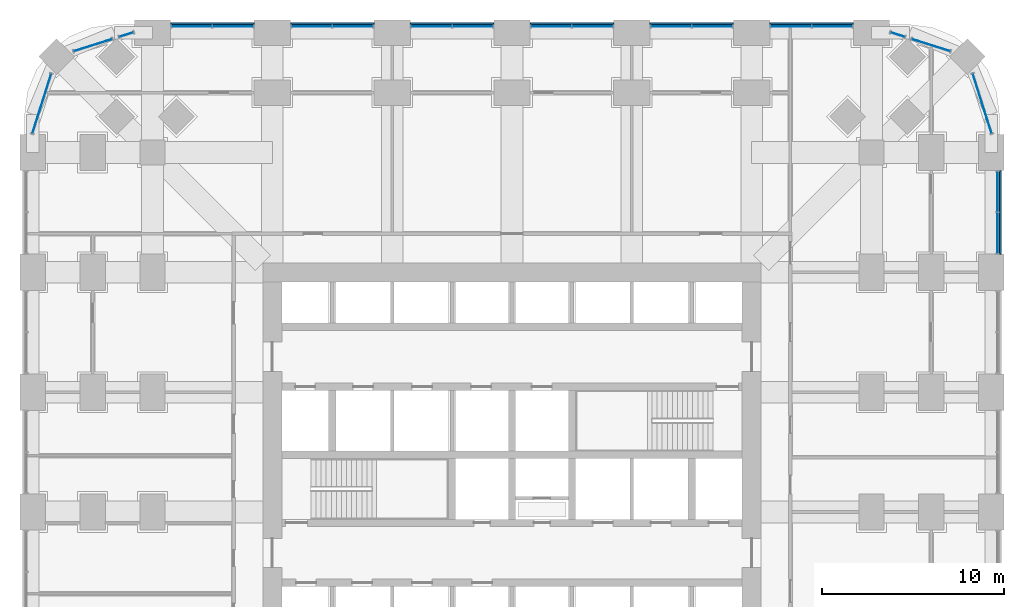
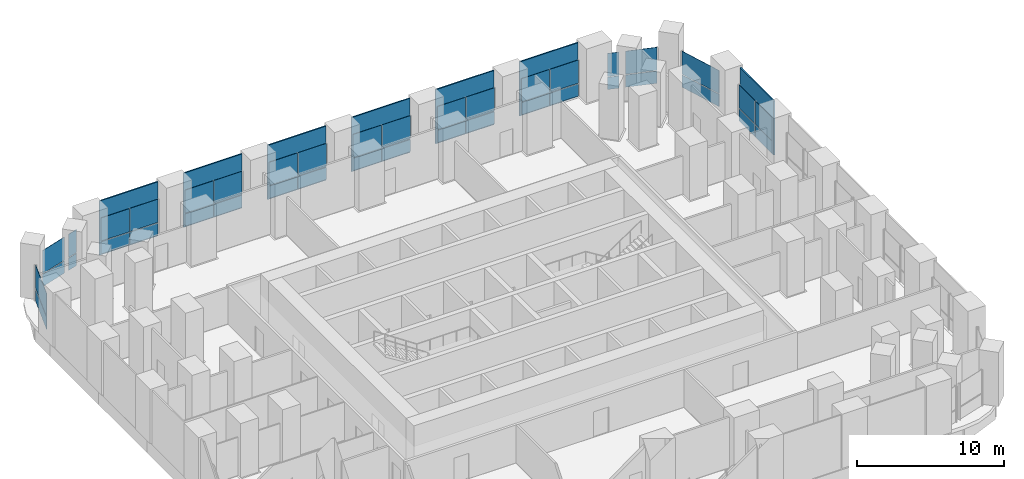
# One storey, part 10 of 17: 47 plates, 13 elements without a shape of their own.
"""IFC4 building model written with IfcOpenShell, lengths in metres."""

from ifc_helpers import new_model, si_unit, direction, frame, origin, origin_2d, place, context, subcontext, project, spatial, rectangle, extrude, material, layer, layer_set, type_object, element, aggregate, save


model = new_model("IFC4")

# Units and contexts
model_context = context("Model", 3, precision=1e-05, world=origin(), true_north=direction((0.0, 1.0)))
body_context = subcontext(model_context, "Body", "Model", "MODEL_VIEW")
ifc_project = project(units=[si_unit("LENGTHUNIT", "METRE"), si_unit("AREAUNIT", "SQUARE_METRE"), si_unit("VOLUMEUNIT", "CUBIC_METRE"), si_unit("PLANEANGLEUNIT", "RADIAN"), si_unit("MASSUNIT", "GRAM", prefix="KILO")], contexts=[model_context])

# Site, building, storey
site_placement = place(None, origin())
site = spatial("IfcSite", under=ifc_project, at=site_placement, CompositionType="ELEMENT")
building_placement = place(site_placement, origin())
building = spatial("IfcBuilding", under=site, at=building_placement, Name="Cobogo Forest Laboratory Tower", CompositionType="ELEMENT")
storey_placement = place(building_placement, frame((0.0, 0.0, 12.60009765625)))
storey = spatial("IfcBuildingStorey", under=building, at=storey_placement, Name="L02", CompositionType="ELEMENT", Elevation=12.60009765625)

# Plates
ifc_material_1 = material(Name="Pierced concrete block", Category="concrete")
ifc_layer_1 = layer(ifc_material_1, 0.10009765625)
ifc_layer_set_1 = layer_set([ifc_layer_1], Name="CO1 cobogo block screen 100")
plate_type_1 = type_object("IfcPlateType", Name="CO1 cobogo block screen 100", PredefinedType="USERDEFINED", material=ifc_layer_set_1)
for number, where, z_axis, x_axis, name in (
    (1, (53.300048828125, 36.300048828125, -0.150146484375), (0.0, 0.0, 1.0), (0.0, 1.0, 0.0), "Cobogo screen E5 L02"),
    (2, (9.89990234375, 46.699951171875, -0.150146484375), (0.0, 0.0, 1.0), (1.0, 0.0, 0.0), "Cobogo screen N1 L02"),
    (3, (16.5, 46.699951171875, -0.150146484375), (0.0, 0.0, 1.0), (1.0, 0.0, 0.0), "Cobogo screen N2 L02"),
    (4, (23.10009765625, 46.699951171875, -0.150146484375), (0.0, 0.0, 1.0), (1.0, 0.0, 0.0), "Cobogo screen N3 L02"),
    (5, (29.699951171875, 46.699951171875, -0.150146484375), (0.0, 0.0, 1.0), (1.0, 0.0, 0.0), "Cobogo screen N4 L02"),
    (6, (36.300048828125, 46.699951171875, -0.150146484375), (0.0, 0.0, 1.0), (1.0, 0.0, 0.0), "Cobogo screen N5 L02"),
    (7, (42.89990234375, 46.699951171875, -0.150146484375), (0.0, 0.0, 1.0), (1.0, 0.0, 0.0), "Cobogo screen N6 L02"),
):
    element("IfcPlate", number, at=place(storey_placement, frame(where, z_axis=z_axis, x_axis=x_axis)), inside=storey, type_object=plate_type_1, Name=name, ObjectType="COBOGO SCREEN", PredefinedType="USERDEFINED", context=body_context, shape_type="SweptSolid", body=[
        extrude(rectangle(XDim=4.60009765625, YDim=0.10009765625, at=origin_2d()), origin(), (0.0, 0.0, 1.0), 4.5),
    ])

# Curtain wall, plates
ifc_material_2 = material(Name="Aluminium curtain wall", Category="aluminium")
curtain_wall_type = type_object("IfcCurtainWallType", Name="CW-K stick curtain wall, podium laboratories", PredefinedType="USERDEFINED", material=ifc_material_2)
curtain_wall_1_placement = place(storey_placement, origin())
curtain_wall_1 = element("IfcCurtainWall", 8, at=curtain_wall_1_placement, inside=storey, type_object=curtain_wall_type, Name="Curtain wall 14 L02", ObjectType="STICK CURTAIN WALL", PredefinedType="USERDEFINED")
ifc_material_3 = material(Name="Clear insulated glass", Category="glass")
ifc_layer_2 = layer(ifc_material_3, 0.028076171875)
ifc_layer_set_2 = layer_set([ifc_layer_2], Name="GP-1 clear insulated glass unit 28")
plate_type_2 = type_object("IfcPlateType", Name="GP-1 clear insulated glass unit 28", PredefinedType="CURTAIN_PANEL", material=ifc_layer_set_2)
plate_1_placement = place(storey_placement, frame((53.14990234375, 35.1650390625, 0.0), z_axis=(0.0, 0.0, 1.0), x_axis=(0.0, 1.0, 0.0)))
plate_1 = element("IfcPlate", 9, at=plate_1_placement, type_object=plate_type_2, Name="CW-K panel 1.1", PredefinedType="CURTAIN_PANEL", context=body_context, shape_type="SweptSolid", body=[
    extrude(rectangle(XDim=2.2099609375, YDim=0.028076171875, at=origin_2d()), origin(), (0.0, 0.0, 1.0), 1.02001953125),
])
plate_2_placement = place(storey_placement, frame((53.14990234375, 35.1650390625, 1.079833984375), z_axis=(0.0, 0.0, 1.0), x_axis=(0.0, 1.0, 0.0)))
plate_2 = element("IfcPlate", 10, at=plate_2_placement, type_object=plate_type_2, Name="CW-K panel 1.2", PredefinedType="CURTAIN_PANEL", context=body_context, shape_type="SweptSolid", body=[
    extrude(rectangle(XDim=2.2099609375, YDim=0.028076171875, at=origin_2d()), origin(), (0.0, 0.0, 1.0), 1.919921875),
])
plate_3_placement = place(storey_placement, frame((53.14990234375, 37.43505859375, 0.0), z_axis=(0.0, 0.0, 1.0), x_axis=(0.0, 1.0, 0.0)))
plate_3 = element("IfcPlate", 11, at=plate_3_placement, type_object=plate_type_2, Name="CW-K panel 2.1", PredefinedType="CURTAIN_PANEL", context=body_context, shape_type="SweptSolid", body=[
    extrude(rectangle(XDim=2.2099609375, YDim=0.028076171875, at=origin_2d()), origin(), (0.0, 0.0, 1.0), 1.02001953125),
])
plate_4_placement = place(storey_placement, frame((53.14990234375, 37.43505859375, 1.079833984375), z_axis=(0.0, 0.0, 1.0), x_axis=(0.0, 1.0, 0.0)))
plate_4 = element("IfcPlate", 12, at=plate_4_placement, type_object=plate_type_2, Name="CW-K panel 2.2", PredefinedType="CURTAIN_PANEL", context=body_context, shape_type="SweptSolid", body=[
    extrude(rectangle(XDim=2.2099609375, YDim=0.028076171875, at=origin_2d()), origin(), (0.0, 0.0, 1.0), 1.919921875),
])
aggregate(curtain_wall_1, [plate_1, plate_2, plate_3, plate_4])

curtain_wall_2_placement = place(storey_placement, origin())
curtain_wall_2 = element("IfcCurtainWall", 13, at=curtain_wall_2_placement, inside=storey, type_object=curtain_wall_type, Name="Curtain wall 15 L02", ObjectType="STICK CURTAIN WALL", PredefinedType="USERDEFINED")
plate_5_placement = place(storey_placement, frame((52.299072265625, 42.294921875, 0.0), z_axis=(0.0, 0.0, 1.0), x_axis=(-0.301135433696, 0.953581381201, 0.0)))
plate_5 = element("IfcPlate", 14, at=plate_5_placement, type_object=plate_type_2, Name="CW-K panel 1.1", PredefinedType="CURTAIN_PANEL", context=body_context, shape_type="SweptSolid", body=[
    extrude(rectangle(XDim=3.434814453125, YDim=0.028076171875, at=origin_2d()), origin(), (0.0, 0.0, 1.0), 1.02001953125),
])
plate_6_placement = place(storey_placement, frame((52.299072265625, 42.294921875, 1.079833984375), z_axis=(0.0, 0.0, 1.0), x_axis=(-0.301135433696, 0.953581381201, 0.0)))
plate_6 = element("IfcPlate", 15, at=plate_6_placement, type_object=plate_type_2, Name="CW-K panel 1.2", PredefinedType="CURTAIN_PANEL", context=body_context, shape_type="SweptSolid", body=[
    extrude(rectangle(XDim=3.434814453125, YDim=0.028076171875, at=origin_2d()), origin(), (0.0, 0.0, 1.0), 1.919921875),
])
aggregate(curtain_wall_2, [plate_5, plate_6])

curtain_wall_3_placement = place(storey_placement, origin())
curtain_wall_3 = element("IfcCurtainWall", 16, at=curtain_wall_3_placement, inside=storey, type_object=curtain_wall_type, Name="Curtain wall 16 L02", ObjectType="STICK CURTAIN WALL", PredefinedType="USERDEFINED")
plate_7_placement = place(storey_placement, frame((49.482177734375, 45.513427734375, 0.0), z_axis=(0.0, 0.0, 1.0), x_axis=(-0.953581409645, 0.301135343623, 0.0)))
plate_7 = element("IfcPlate", 17, at=plate_7_placement, type_object=plate_type_2, Name="CW-K panel 1.1", PredefinedType="CURTAIN_PANEL", context=body_context, shape_type="SweptSolid", body=[
    extrude(rectangle(XDim=2.203369140625, YDim=0.028076171875, at=origin_2d()), origin(), (0.0, 0.0, 1.0), 1.02001953125),
])
plate_8_placement = place(storey_placement, frame((49.482177734375, 45.513427734375, 1.079833984375), z_axis=(0.0, 0.0, 1.0), x_axis=(-0.953581409645, 0.301135343623, 0.0)))
plate_8 = element("IfcPlate", 18, at=plate_8_placement, type_object=plate_type_2, Name="CW-K panel 1.2", PredefinedType="CURTAIN_PANEL", context=body_context, shape_type="SweptSolid", body=[
    extrude(rectangle(XDim=2.203369140625, YDim=0.028076171875, at=origin_2d()), origin(), (0.0, 0.0, 1.0), 1.919921875),
])
aggregate(curtain_wall_3, [plate_7, plate_8])

curtain_wall_4_placement = place(storey_placement, origin())
curtain_wall_4 = element("IfcCurtainWall", 19, at=curtain_wall_4_placement, inside=storey, type_object=curtain_wall_type, Name="Curtain wall 17 L02", ObjectType="STICK CURTAIN WALL", PredefinedType="USERDEFINED")
plate_9_placement = place(storey_placement, frame((47.640869140625, 46.094970703125, 0.0), z_axis=(0.0, 0.0, 1.0), x_axis=(-0.953581406818, 0.301135352577, 0.0)))
plate_9 = element("IfcPlate", 20, at=plate_9_placement, type_object=plate_type_2, Name="CW-K panel 1.1", PredefinedType="CURTAIN_PANEL", context=body_context, shape_type="SweptSolid", body=[
    extrude(rectangle(XDim=0.804931640625, YDim=0.028076171875, at=origin_2d()), origin(), (0.0, 0.0, 1.0), 1.02001953125),
])
plate_10_placement = place(storey_placement, frame((47.640869140625, 46.094970703125, 1.079833984375), z_axis=(0.0, 0.0, 1.0), x_axis=(-0.953581406818, 0.301135352577, 0.0)))
plate_10 = element("IfcPlate", 21, at=plate_10_placement, type_object=plate_type_2, Name="CW-K panel 1.2", PredefinedType="CURTAIN_PANEL", context=body_context, shape_type="SweptSolid", body=[
    extrude(rectangle(XDim=0.804931640625, YDim=0.028076171875, at=origin_2d()), origin(), (0.0, 0.0, 1.0), 1.919921875),
])
aggregate(curtain_wall_4, [plate_9, plate_10])

curtain_wall_5_placement = place(storey_placement, origin())
curtain_wall_5 = element("IfcCurtainWall", 22, at=curtain_wall_5_placement, inside=storey, type_object=curtain_wall_type, Name="Curtain wall 18 L02", ObjectType="STICK CURTAIN WALL", PredefinedType="USERDEFINED")
plate_11_placement = place(storey_placement, frame((44.034912109375, 46.550048828125, 0.0), z_axis=(0.0, 0.0, 1.0), x_axis=(-1.0, 0.0, 0.0)))
plate_11 = element("IfcPlate", 23, at=plate_11_placement, type_object=plate_type_2, Name="CW-K panel 1.1", PredefinedType="CURTAIN_PANEL", context=body_context, shape_type="SweptSolid", body=[
    extrude(rectangle(XDim=2.2099609375, YDim=0.028076171875, at=origin_2d()), origin(), (0.0, 0.0, 1.0), 1.02001953125),
])
plate_12_placement = place(storey_placement, frame((44.034912109375, 46.550048828125, 1.079833984375), z_axis=(0.0, 0.0, 1.0), x_axis=(-1.0, 0.0, 0.0)))
plate_12 = element("IfcPlate", 24, at=plate_12_placement, type_object=plate_type_2, Name="CW-K panel 1.2", PredefinedType="CURTAIN_PANEL", context=body_context, shape_type="SweptSolid", body=[
    extrude(rectangle(XDim=2.2099609375, YDim=0.028076171875, at=origin_2d()), origin(), (0.0, 0.0, 1.0), 1.919921875),
])
plate_13_placement = place(storey_placement, frame((41.764892578125, 46.550048828125, 0.0), z_axis=(0.0, 0.0, 1.0), x_axis=(-1.0, 0.0, 0.0)))
plate_13 = element("IfcPlate", 25, at=plate_13_placement, type_object=plate_type_2, Name="CW-K panel 2.1", PredefinedType="CURTAIN_PANEL", context=body_context, shape_type="SweptSolid", body=[
    extrude(rectangle(XDim=2.2099609375, YDim=0.028076171875, at=origin_2d()), origin(), (0.0, 0.0, 1.0), 1.02001953125),
])
plate_14_placement = place(storey_placement, frame((41.764892578125, 46.550048828125, 1.079833984375), z_axis=(0.0, 0.0, 1.0), x_axis=(-1.0, 0.0, 0.0)))
plate_14 = element("IfcPlate", 26, at=plate_14_placement, type_object=plate_type_2, Name="CW-K panel 2.2", PredefinedType="CURTAIN_PANEL", context=body_context, shape_type="SweptSolid", body=[
    extrude(rectangle(XDim=2.2099609375, YDim=0.028076171875, at=origin_2d()), origin(), (0.0, 0.0, 1.0), 1.919921875),
])
aggregate(curtain_wall_5, [plate_11, plate_12, plate_13, plate_14])

curtain_wall_6_placement = place(storey_placement, origin())
curtain_wall_6 = element("IfcCurtainWall", 27, at=curtain_wall_6_placement, inside=storey, type_object=curtain_wall_type, Name="Curtain wall 19 L02", ObjectType="STICK CURTAIN WALL", PredefinedType="USERDEFINED")
plate_15_placement = place(storey_placement, frame((37.43505859375, 46.550048828125, 0.0), z_axis=(0.0, 0.0, 1.0), x_axis=(-1.0, 0.0, 0.0)))
plate_15 = element("IfcPlate", 28, at=plate_15_placement, type_object=plate_type_2, Name="CW-K panel 1.1", PredefinedType="CURTAIN_PANEL", context=body_context, shape_type="SweptSolid", body=[
    extrude(rectangle(XDim=2.2099609375, YDim=0.028076171875, at=origin_2d()), origin(), (0.0, 0.0, 1.0), 1.02001953125),
])
plate_16_placement = place(storey_placement, frame((37.43505859375, 46.550048828125, 1.079833984375), z_axis=(0.0, 0.0, 1.0), x_axis=(-1.0, 0.0, 0.0)))
plate_16 = element("IfcPlate", 29, at=plate_16_placement, type_object=plate_type_2, Name="CW-K panel 1.2", PredefinedType="CURTAIN_PANEL", context=body_context, shape_type="SweptSolid", body=[
    extrude(rectangle(XDim=2.2099609375, YDim=0.028076171875, at=origin_2d()), origin(), (0.0, 0.0, 1.0), 1.919921875),
])
plate_17_placement = place(storey_placement, frame((35.1650390625, 46.550048828125, 0.0), z_axis=(0.0, 0.0, 1.0), x_axis=(-1.0, 0.0, 0.0)))
plate_17 = element("IfcPlate", 30, at=plate_17_placement, type_object=plate_type_2, Name="CW-K panel 2.1", PredefinedType="CURTAIN_PANEL", context=body_context, shape_type="SweptSolid", body=[
    extrude(rectangle(XDim=2.2099609375, YDim=0.028076171875, at=origin_2d()), origin(), (0.0, 0.0, 1.0), 1.02001953125),
])
plate_18_placement = place(storey_placement, frame((35.1650390625, 46.550048828125, 1.079833984375), z_axis=(0.0, 0.0, 1.0), x_axis=(-1.0, 0.0, 0.0)))
plate_18 = element("IfcPlate", 31, at=plate_18_placement, type_object=plate_type_2, Name="CW-K panel 2.2", PredefinedType="CURTAIN_PANEL", context=body_context, shape_type="SweptSolid", body=[
    extrude(rectangle(XDim=2.2099609375, YDim=0.028076171875, at=origin_2d()), origin(), (0.0, 0.0, 1.0), 1.919921875),
])
aggregate(curtain_wall_6, [plate_15, plate_16, plate_17, plate_18])

curtain_wall_7_placement = place(storey_placement, origin())
curtain_wall_7 = element("IfcCurtainWall", 32, at=curtain_wall_7_placement, inside=storey, type_object=curtain_wall_type, Name="Curtain wall 20 L02", ObjectType="STICK CURTAIN WALL", PredefinedType="USERDEFINED")
plate_19_placement = place(storey_placement, frame((30.8349609375, 46.550048828125, 0.0), z_axis=(0.0, 0.0, 1.0), x_axis=(-1.0, 0.0, 0.0)))
plate_19 = element("IfcPlate", 33, at=plate_19_placement, type_object=plate_type_2, Name="CW-K panel 1.1", PredefinedType="CURTAIN_PANEL", context=body_context, shape_type="SweptSolid", body=[
    extrude(rectangle(XDim=2.2099609375, YDim=0.028076171875, at=origin_2d()), origin(), (0.0, 0.0, 1.0), 1.02001953125),
])
plate_20_placement = place(storey_placement, frame((30.8349609375, 46.550048828125, 1.079833984375), z_axis=(0.0, 0.0, 1.0), x_axis=(-1.0, 0.0, 0.0)))
plate_20 = element("IfcPlate", 34, at=plate_20_placement, type_object=plate_type_2, Name="CW-K panel 1.2", PredefinedType="CURTAIN_PANEL", context=body_context, shape_type="SweptSolid", body=[
    extrude(rectangle(XDim=2.2099609375, YDim=0.028076171875, at=origin_2d()), origin(), (0.0, 0.0, 1.0), 1.919921875),
])
plate_21_placement = place(storey_placement, frame((28.56494140625, 46.550048828125, 0.0), z_axis=(0.0, 0.0, 1.0), x_axis=(-1.0, 0.0, 0.0)))
plate_21 = element("IfcPlate", 35, at=plate_21_placement, type_object=plate_type_2, Name="CW-K panel 2.1", PredefinedType="CURTAIN_PANEL", context=body_context, shape_type="SweptSolid", body=[
    extrude(rectangle(XDim=2.2099609375, YDim=0.028076171875, at=origin_2d()), origin(), (0.0, 0.0, 1.0), 1.02001953125),
])
plate_22_placement = place(storey_placement, frame((28.56494140625, 46.550048828125, 1.079833984375), z_axis=(0.0, 0.0, 1.0), x_axis=(-1.0, 0.0, 0.0)))
plate_22 = element("IfcPlate", 36, at=plate_22_placement, type_object=plate_type_2, Name="CW-K panel 2.2", PredefinedType="CURTAIN_PANEL", context=body_context, shape_type="SweptSolid", body=[
    extrude(rectangle(XDim=2.2099609375, YDim=0.028076171875, at=origin_2d()), origin(), (0.0, 0.0, 1.0), 1.919921875),
])
aggregate(curtain_wall_7, [plate_19, plate_20, plate_21, plate_22])

curtain_wall_8_placement = place(storey_placement, origin())
curtain_wall_8 = element("IfcCurtainWall", 37, at=curtain_wall_8_placement, inside=storey, type_object=curtain_wall_type, Name="Curtain wall 21 L02", ObjectType="STICK CURTAIN WALL", PredefinedType="USERDEFINED")
plate_23_placement = place(storey_placement, frame((24.235107421875, 46.550048828125, 0.0), z_axis=(0.0, 0.0, 1.0), x_axis=(-1.0, 0.0, 0.0)))
plate_23 = element("IfcPlate", 38, at=plate_23_placement, type_object=plate_type_2, Name="CW-K panel 1.1", PredefinedType="CURTAIN_PANEL", context=body_context, shape_type="SweptSolid", body=[
    extrude(rectangle(XDim=2.2099609375, YDim=0.028076171875, at=origin_2d()), origin(), (0.0, 0.0, 1.0), 1.02001953125),
])
plate_24_placement = place(storey_placement, frame((24.235107421875, 46.550048828125, 1.079833984375), z_axis=(0.0, 0.0, 1.0), x_axis=(-1.0, 0.0, 0.0)))
plate_24 = element("IfcPlate", 39, at=plate_24_placement, type_object=plate_type_2, Name="CW-K panel 1.2", PredefinedType="CURTAIN_PANEL", context=body_context, shape_type="SweptSolid", body=[
    extrude(rectangle(XDim=2.2099609375, YDim=0.028076171875, at=origin_2d()), origin(), (0.0, 0.0, 1.0), 1.919921875),
])
plate_25_placement = place(storey_placement, frame((21.965087890625, 46.550048828125, 0.0), z_axis=(0.0, 0.0, 1.0), x_axis=(-1.0, 0.0, 0.0)))
plate_25 = element("IfcPlate", 40, at=plate_25_placement, type_object=plate_type_2, Name="CW-K panel 2.1", PredefinedType="CURTAIN_PANEL", context=body_context, shape_type="SweptSolid", body=[
    extrude(rectangle(XDim=2.2099609375, YDim=0.028076171875, at=origin_2d()), origin(), (0.0, 0.0, 1.0), 1.02001953125),
])
plate_26_placement = place(storey_placement, frame((21.965087890625, 46.550048828125, 1.079833984375), z_axis=(0.0, 0.0, 1.0), x_axis=(-1.0, 0.0, 0.0)))
plate_26 = element("IfcPlate", 41, at=plate_26_placement, type_object=plate_type_2, Name="CW-K panel 2.2", PredefinedType="CURTAIN_PANEL", context=body_context, shape_type="SweptSolid", body=[
    extrude(rectangle(XDim=2.2099609375, YDim=0.028076171875, at=origin_2d()), origin(), (0.0, 0.0, 1.0), 1.919921875),
])
aggregate(curtain_wall_8, [plate_23, plate_24, plate_25, plate_26])

curtain_wall_9_placement = place(storey_placement, origin())
curtain_wall_9 = element("IfcCurtainWall", 42, at=curtain_wall_9_placement, inside=storey, type_object=curtain_wall_type, Name="Curtain wall 22 L02", ObjectType="STICK CURTAIN WALL", PredefinedType="USERDEFINED")
plate_27_placement = place(storey_placement, frame((17.635009765625, 46.550048828125, 0.0), z_axis=(0.0, 0.0, 1.0), x_axis=(-1.0, 0.0, 0.0)))
plate_27 = element("IfcPlate", 43, at=plate_27_placement, type_object=plate_type_2, Name="CW-K panel 1.1", PredefinedType="CURTAIN_PANEL", context=body_context, shape_type="SweptSolid", body=[
    extrude(rectangle(XDim=2.2099609375, YDim=0.028076171875, at=origin_2d()), origin(), (0.0, 0.0, 1.0), 1.02001953125),
])
plate_28_placement = place(storey_placement, frame((17.635009765625, 46.550048828125, 1.079833984375), z_axis=(0.0, 0.0, 1.0), x_axis=(-1.0, 0.0, 0.0)))
plate_28 = element("IfcPlate", 44, at=plate_28_placement, type_object=plate_type_2, Name="CW-K panel 1.2", PredefinedType="CURTAIN_PANEL", context=body_context, shape_type="SweptSolid", body=[
    extrude(rectangle(XDim=2.2099609375, YDim=0.028076171875, at=origin_2d()), origin(), (0.0, 0.0, 1.0), 1.919921875),
])
plate_29_placement = place(storey_placement, frame((15.364990234375, 46.550048828125, 0.0), z_axis=(0.0, 0.0, 1.0), x_axis=(-1.0, 0.0, 0.0)))
plate_29 = element("IfcPlate", 45, at=plate_29_placement, type_object=plate_type_2, Name="CW-K panel 2.1", PredefinedType="CURTAIN_PANEL", context=body_context, shape_type="SweptSolid", body=[
    extrude(rectangle(XDim=2.2099609375, YDim=0.028076171875, at=origin_2d()), origin(), (0.0, 0.0, 1.0), 1.02001953125),
])
plate_30_placement = place(storey_placement, frame((15.364990234375, 46.550048828125, 1.079833984375), z_axis=(0.0, 0.0, 1.0), x_axis=(-1.0, 0.0, 0.0)))
plate_30 = element("IfcPlate", 46, at=plate_30_placement, type_object=plate_type_2, Name="CW-K panel 2.2", PredefinedType="CURTAIN_PANEL", context=body_context, shape_type="SweptSolid", body=[
    extrude(rectangle(XDim=2.2099609375, YDim=0.028076171875, at=origin_2d()), origin(), (0.0, 0.0, 1.0), 1.919921875),
])
aggregate(curtain_wall_9, [plate_27, plate_28, plate_29, plate_30])

curtain_wall_10_placement = place(storey_placement, origin())
curtain_wall_10 = element("IfcCurtainWall", 47, at=curtain_wall_10_placement, inside=storey, type_object=curtain_wall_type, Name="Curtain wall 23 L02", ObjectType="STICK CURTAIN WALL", PredefinedType="USERDEFINED")
plate_31_placement = place(storey_placement, frame((11.034912109375, 46.550048828125, 0.0), z_axis=(0.0, 0.0, 1.0), x_axis=(-1.0, 0.0, 0.0)))
plate_31 = element("IfcPlate", 48, at=plate_31_placement, type_object=plate_type_2, Name="CW-K panel 1.1", PredefinedType="CURTAIN_PANEL", context=body_context, shape_type="SweptSolid", body=[
    extrude(rectangle(XDim=2.2099609375, YDim=0.028076171875, at=origin_2d()), origin(), (0.0, 0.0, 1.0), 1.02001953125),
])
plate_32_placement = place(storey_placement, frame((11.034912109375, 46.550048828125, 1.079833984375), z_axis=(0.0, 0.0, 1.0), x_axis=(-1.0, 0.0, 0.0)))
plate_32 = element("IfcPlate", 49, at=plate_32_placement, type_object=plate_type_2, Name="CW-K panel 1.2", PredefinedType="CURTAIN_PANEL", context=body_context, shape_type="SweptSolid", body=[
    extrude(rectangle(XDim=2.2099609375, YDim=0.028076171875, at=origin_2d()), origin(), (0.0, 0.0, 1.0), 1.919921875),
])
plate_33_placement = place(storey_placement, frame((8.764892578125, 46.550048828125, 0.0), z_axis=(0.0, 0.0, 1.0), x_axis=(-1.0, 0.0, 0.0)))
plate_33 = element("IfcPlate", 50, at=plate_33_placement, type_object=plate_type_2, Name="CW-K panel 2.1", PredefinedType="CURTAIN_PANEL", context=body_context, shape_type="SweptSolid", body=[
    extrude(rectangle(XDim=2.2099609375, YDim=0.028076171875, at=origin_2d()), origin(), (0.0, 0.0, 1.0), 1.02001953125),
])
plate_34_placement = place(storey_placement, frame((8.764892578125, 46.550048828125, 1.079833984375), z_axis=(0.0, 0.0, 1.0), x_axis=(-1.0, 0.0, 0.0)))
plate_34 = element("IfcPlate", 51, at=plate_34_placement, type_object=plate_type_2, Name="CW-K panel 2.2", PredefinedType="CURTAIN_PANEL", context=body_context, shape_type="SweptSolid", body=[
    extrude(rectangle(XDim=2.2099609375, YDim=0.028076171875, at=origin_2d()), origin(), (0.0, 0.0, 1.0), 1.919921875),
])
aggregate(curtain_wall_10, [plate_31, plate_32, plate_33, plate_34])

curtain_wall_11_placement = place(storey_placement, origin())
curtain_wall_11 = element("IfcCurtainWall", 52, at=curtain_wall_11_placement, inside=storey, type_object=curtain_wall_type, Name="Curtain wall 24 L02", ObjectType="STICK CURTAIN WALL", PredefinedType="USERDEFINED")
plate_35_placement = place(storey_placement, frame((5.158935546875, 46.094970703125, 0.0), z_axis=(0.0, 0.0, 1.0), x_axis=(-0.953581406818, -0.301135352577, 0.0)))
plate_35 = element("IfcPlate", 53, at=plate_35_placement, type_object=plate_type_2, Name="CW-K panel 1.1", PredefinedType="CURTAIN_PANEL", context=body_context, shape_type="SweptSolid", body=[
    extrude(rectangle(XDim=0.804931640625, YDim=0.028076171875, at=origin_2d()), origin(), (0.0, 0.0, 1.0), 1.02001953125),
])
plate_36_placement = place(storey_placement, frame((5.158935546875, 46.094970703125, 1.079833984375), z_axis=(0.0, 0.0, 1.0), x_axis=(-0.953581406818, -0.301135352577, 0.0)))
plate_36 = element("IfcPlate", 54, at=plate_36_placement, type_object=plate_type_2, Name="CW-K panel 1.2", PredefinedType="CURTAIN_PANEL", context=body_context, shape_type="SweptSolid", body=[
    extrude(rectangle(XDim=0.804931640625, YDim=0.028076171875, at=origin_2d()), origin(), (0.0, 0.0, 1.0), 1.919921875),
])
aggregate(curtain_wall_11, [plate_35, plate_36])

curtain_wall_12_placement = place(storey_placement, origin())
curtain_wall_12 = element("IfcCurtainWall", 55, at=curtain_wall_12_placement, inside=storey, type_object=curtain_wall_type, Name="Curtain wall 25 L02", ObjectType="STICK CURTAIN WALL", PredefinedType="USERDEFINED")
plate_37_placement = place(storey_placement, frame((3.31787109375, 45.513427734375, 0.0), z_axis=(0.0, 0.0, 1.0), x_axis=(-0.953581409645, -0.301135343623, 0.0)))
plate_37 = element("IfcPlate", 56, at=plate_37_placement, type_object=plate_type_2, Name="CW-K panel 1.1", PredefinedType="CURTAIN_PANEL", context=body_context, shape_type="SweptSolid", body=[
    extrude(rectangle(XDim=2.203369140625, YDim=0.028076171875, at=origin_2d()), origin(), (0.0, 0.0, 1.0), 1.02001953125),
])
plate_38_placement = place(storey_placement, frame((3.31787109375, 45.513427734375, 1.079833984375), z_axis=(0.0, 0.0, 1.0), x_axis=(-0.953581409645, -0.301135343623, 0.0)))
plate_38 = element("IfcPlate", 57, at=plate_38_placement, type_object=plate_type_2, Name="CW-K panel 1.2", PredefinedType="CURTAIN_PANEL", context=body_context, shape_type="SweptSolid", body=[
    extrude(rectangle(XDim=2.203369140625, YDim=0.028076171875, at=origin_2d()), origin(), (0.0, 0.0, 1.0), 1.919921875),
])
aggregate(curtain_wall_12, [plate_37, plate_38])

curtain_wall_13_placement = place(storey_placement, origin())
curtain_wall_13 = element("IfcCurtainWall", 58, at=curtain_wall_13_placement, inside=storey, type_object=curtain_wall_type, Name="Curtain wall 26 L02", ObjectType="STICK CURTAIN WALL", PredefinedType="USERDEFINED")
plate_39_placement = place(storey_placement, frame((0.5009765625, 42.294921875, 0.0), z_axis=(0.0, 0.0, 1.0), x_axis=(-0.301135433696, -0.953581381201, 0.0)))
plate_39 = element("IfcPlate", 59, at=plate_39_placement, type_object=plate_type_2, Name="CW-K panel 1.1", PredefinedType="CURTAIN_PANEL", context=body_context, shape_type="SweptSolid", body=[
    extrude(rectangle(XDim=3.434814453125, YDim=0.028076171875, at=origin_2d()), origin(), (0.0, 0.0, 1.0), 1.02001953125),
])
plate_40_placement = place(storey_placement, frame((0.5009765625, 42.294921875, 1.079833984375), z_axis=(0.0, 0.0, 1.0), x_axis=(-0.301135433696, -0.953581381201, 0.0)))
plate_40 = element("IfcPlate", 60, at=plate_40_placement, type_object=plate_type_2, Name="CW-K panel 1.2", PredefinedType="CURTAIN_PANEL", context=body_context, shape_type="SweptSolid", body=[
    extrude(rectangle(XDim=3.434814453125, YDim=0.028076171875, at=origin_2d()), origin(), (0.0, 0.0, 1.0), 1.919921875),
])
aggregate(curtain_wall_13, [plate_39, plate_40])

save(model, "model.ifc")
